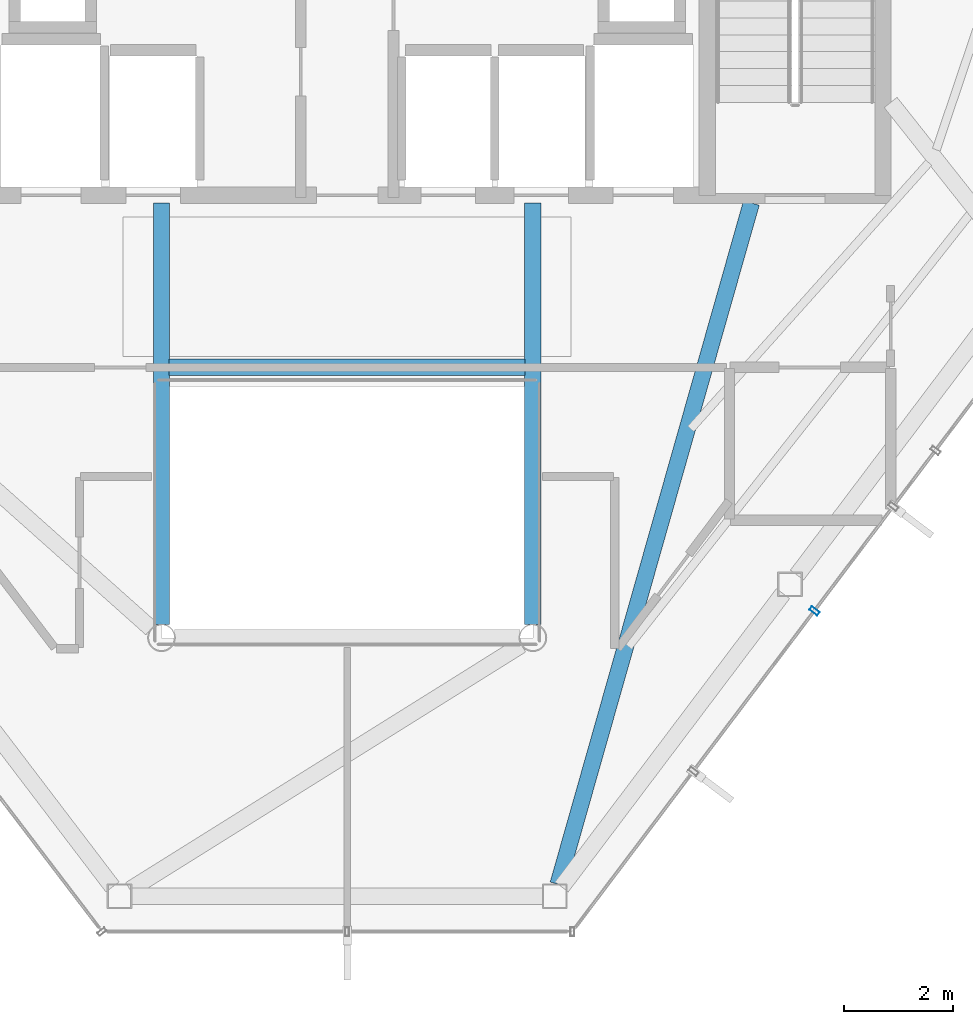
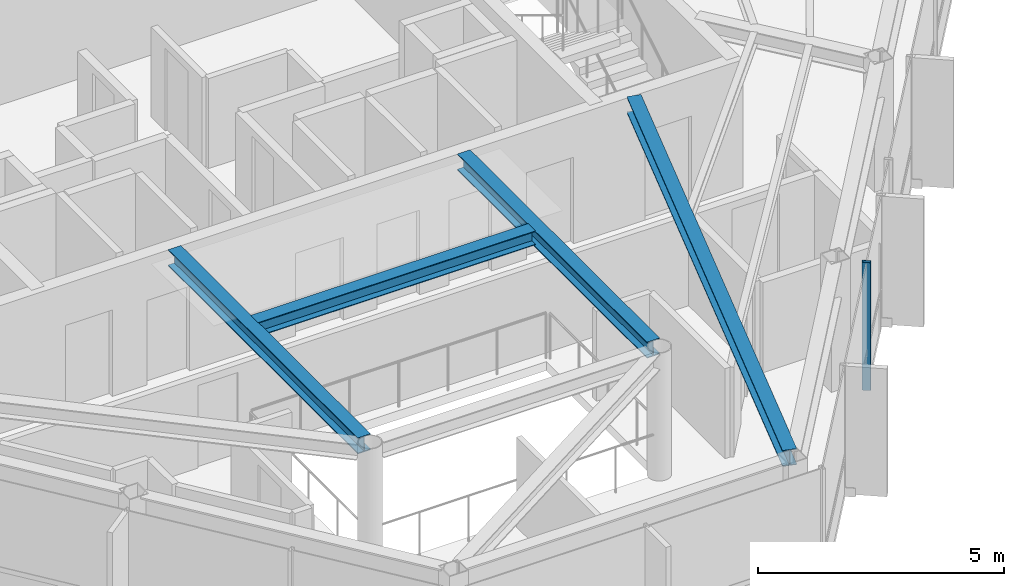
# One storey, part 8 of 23: 4 beams, 1 member, 1 element without a shape of its own.
"""IFC4 building model written with IfcOpenShell, lengths in metres."""

from ifc_helpers import new_model, si_unit, direction, frame, origin, origin_2d, place, context, subcontext, project, spatial, hollow_rectangle, i_section, extrude, material, layer, layer_set, material_profile, profile_set, type_object, element, aggregate, save


model = new_model("IFC4")

# Units and contexts
model_context = context("Model", 3, precision=1e-05, world=origin(), true_north=direction((0.0, 1.0)))
body_context = subcontext(model_context, "Body", "Model", "MODEL_VIEW")
ifc_project = project(units=[si_unit("LENGTHUNIT", "METRE"), si_unit("AREAUNIT", "SQUARE_METRE"), si_unit("VOLUMEUNIT", "CUBIC_METRE"), si_unit("PLANEANGLEUNIT", "RADIAN"), si_unit("MASSUNIT", "GRAM", prefix="KILO")], contexts=[model_context])

# Site, building, storey
site_placement = place(None, origin())
site = spatial("IfcSite", under=ifc_project, at=site_placement, CompositionType="ELEMENT")
building_placement = place(site_placement, origin())
building = spatial("IfcBuilding", under=site, at=building_placement, Name="Zarrinselat Tower", CompositionType="ELEMENT")
storey_placement = place(building_placement, frame((0.0, 0.0, 282.199951171875)))
storey = spatial("IfcBuildingStorey", under=building, at=storey_placement, Name="L72", CompositionType="ELEMENT", Elevation=282.199951171875)

# Beams
ifc_material_1 = material(Name="Steel S355J2", Category="steel")
ifc_material_profile_1 = material_profile(ifc_material_1, i_section(OverallWidth=0.300048828125, OverallDepth=0.35009765625, WebThickness=0.010009765625, FlangeThickness=0.017578125, at=origin_2d()), Name="HEA 360")
ifc_profile_set_1 = profile_set([ifc_material_profile_1], Name="Steel S355J2")
beam_type_1 = type_object("IfcBeamType", Name="BM-HEA360", PredefinedType="LINTEL", material=ifc_profile_set_1)
beam_1_placement = place(storey_placement, frame((35.139892578125, 30.14990234375, 3.005126953125), z_axis=(1.0, 0.0, 0.0), x_axis=(0.0, 1.0, 0.0)))
element("IfcBeam", 1, at=beam_1_placement, inside=storey, type_object=beam_type_1, Name="L72 Lift Lobby Ceiling Beam", PredefinedType="LINTEL", context=body_context, shape_type="SweptSolid", body=[
    extrude(i_section(OverallWidth=0.300048828125, OverallDepth=0.35009765625, WebThickness=0.010009765625, FlangeThickness=0.017578125, at=origin_2d()), origin(), (0.0, 0.0, 1.0), 6.52001953125),
])
ifc_material_2 = material(Name="Steel S355J2", Category="steel")
ifc_material_profile_2 = material_profile(ifc_material_2, i_section(OverallWidth=0.300048828125, OverallDepth=0.39990234375, WebThickness=0.013427734375, FlangeThickness=0.02392578125, at=origin_2d()), Name="HEB 400")
ifc_profile_set_2 = profile_set([ifc_material_profile_2], Name="Steel S355J2")
beam_type_2 = type_object("IfcBeamType", Name="BM-HEB400", PredefinedType="BEAM", material=ifc_profile_set_2)
for number, where, z_axis, x_axis, name in (
    (2, (35.0, 25.43994140625, 2.97998046875), (0.0, 1.0, 0.0), (-1.0, 0.0, 0.0), "L72 Atrium Edge Beam W"),
    (3, (41.800048828125, 25.43994140625, 2.97998046875), (0.0, 1.0, 0.0), (-1.0, 0.0, 0.0), "L72 Atrium Edge Beam E"),
):
    element("IfcBeam", number, at=place(storey_placement, frame(where, z_axis=z_axis, x_axis=x_axis)), inside=storey, type_object=beam_type_2, Name=name, PredefinedType="BEAM", context=body_context, shape_type="SweptSolid", body=[
        extrude(i_section(OverallWidth=0.300048828125, OverallDepth=0.39990234375, WebThickness=0.013427734375, FlangeThickness=0.02392578125, at=origin_2d()), origin(), (0.0, 0.0, 1.0), 7.719970703125),
    ])
beam_2_placement = place(storey_placement, frame((42.260986328125, 20.6875, 2.97998046875), z_axis=(0.272974718051, 0.962021207305, 0.0), x_axis=(-0.962021207305, 0.272974718051, 0.0)))
element("IfcBeam", 4, at=beam_2_placement, inside=storey, type_object=beam_type_2, Name="L72 Radial Primary Girder RG11", PredefinedType="BEAM", context=body_context, shape_type="SweptSolid", body=[
    extrude(i_section(OverallWidth=0.300048828125, OverallDepth=0.39990234375, WebThickness=0.013427734375, FlangeThickness=0.02392578125, at=origin_2d()), origin(), (0.0, 0.0, 1.0), 12.96484375),
])

# Curtain wall, member
ifc_material_3 = material(Name="Extruded Aluminium Alloy EN AW-6063 T6", Category="aluminium")
ifc_layer = layer(ifc_material_3, 0.199951171875)
ifc_layer_set = layer_set([ifc_layer], Name="Extruded Aluminium Alloy EN AW-6063 T6")
curtain_wall_type = type_object("IfcCurtainWallType", Name="CWS-BLADE", PredefinedType="NOTDEFINED", material=ifc_layer_set)
curtain_wall_placement = place(storey_placement, origin())
curtain_wall = element("IfcCurtainWall", 5, at=curtain_wall_placement, inside=storey, type_object=curtain_wall_type, Name="L72 Unitised Curtain Wall CW-L72-E05", PredefinedType="NOTDEFINED")
ifc_material_4 = material(Name="Extruded Aluminium Alloy EN AW-6063 T6", Category="aluminium")
ifc_material_profile_3 = material_profile(ifc_material_4, hollow_rectangle(XDim=0.080078125, YDim=0.179931640625, WallThickness=0.0048828125, at=origin_2d()), Name="RHS 180x80x5")
ifc_profile_set_3 = profile_set([ifc_material_profile_3], Name="Extruded Aluminium Alloy EN AW-6063 T6")
member_type = type_object("IfcMemberType", Name="MEM-CW-MUL", PredefinedType="MULLION", material=ifc_profile_set_3)
member_placement = place(storey_placement, frame((46.95458984375, 25.69091796875, 0.0), z_axis=(0.0, 0.0, 1.0), x_axis=(0.602445101176, 0.798160322284, 0.0)))
member = element("IfcMember", 6, at=member_placement, type_object=member_type, Name="CW-L72-E05 Mullion 2", PredefinedType="MULLION", context=body_context, shape_type="SweptSolid", body=[
    extrude(hollow_rectangle(XDim=0.080078125, YDim=0.179931640625, WallThickness=0.0048828125, at=origin_2d()), origin(), (0.0, 0.0, 1.0), 3.179931640625),
])
aggregate(curtain_wall, [member])

save(model, "model.ifc")
